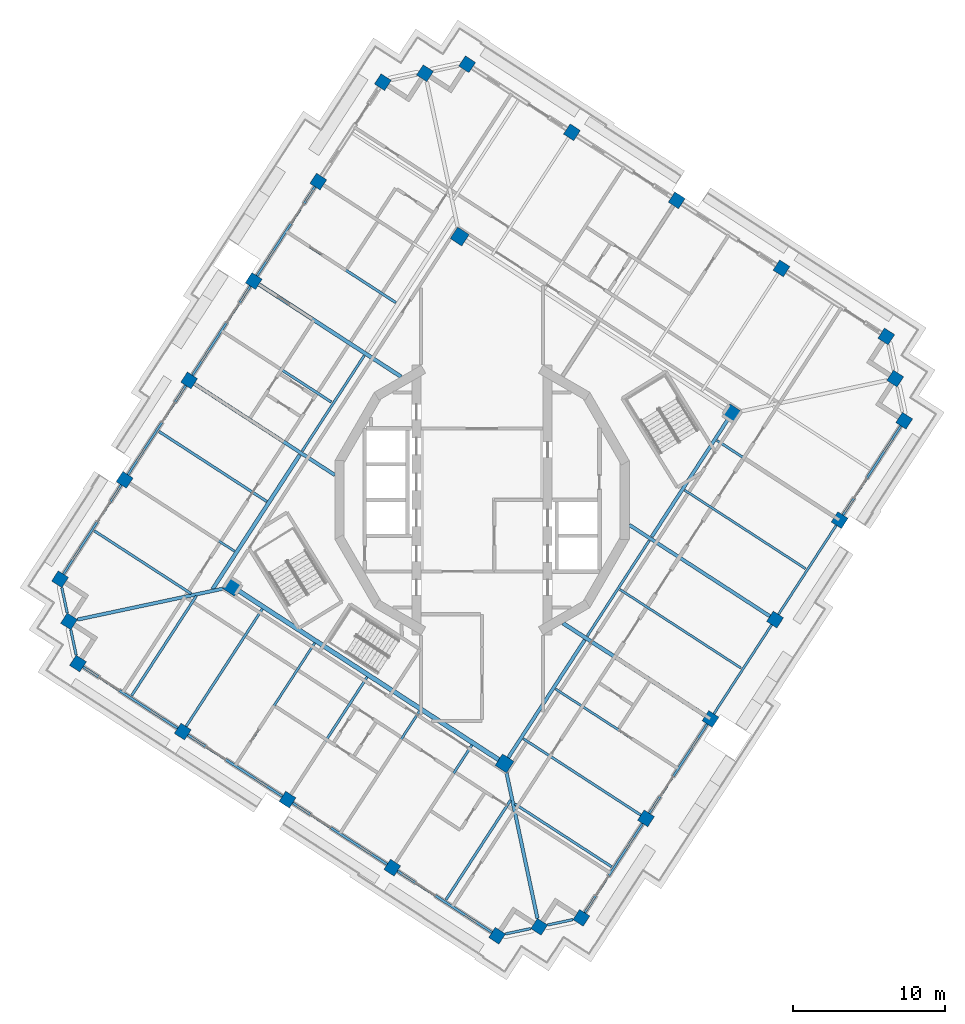
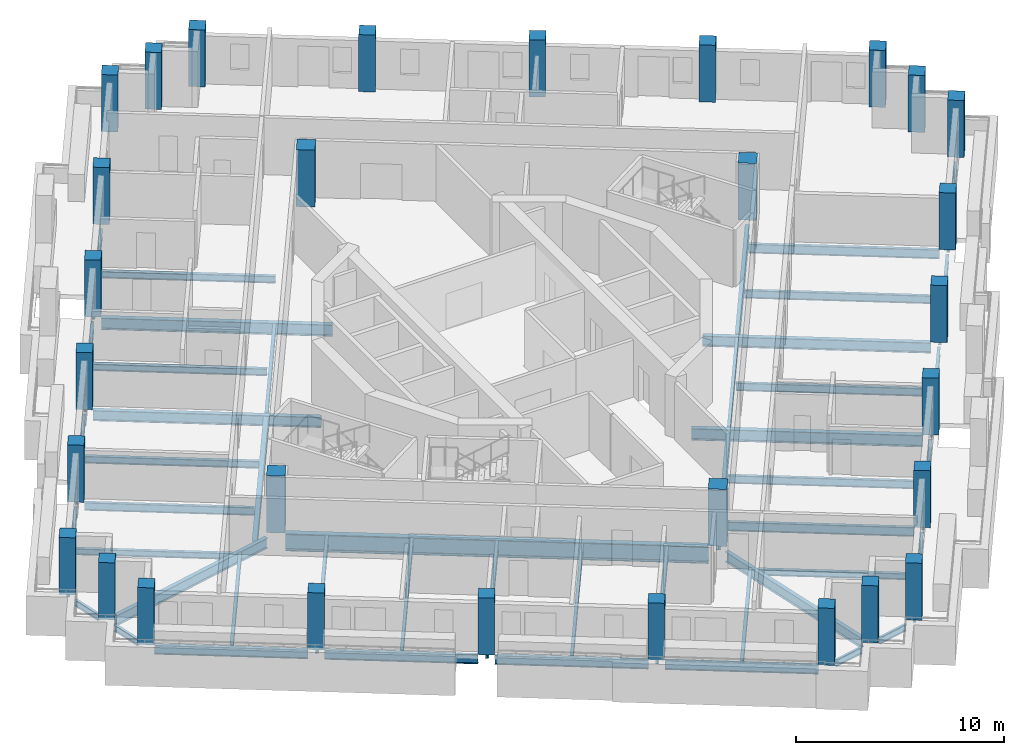
# One storey, part 1 of 15: 47 beams, 30 columns.
"""IFC4 building model written with IfcOpenShell, lengths in metres."""

from ifc_helpers import new_model, si_unit, direction, frame, origin, origin_2d, place, context, subcontext, project, spatial, rectangle, i_section, extrude, material, material_profile, profile_set, type_object, element, save


model = new_model("IFC4")

# Units and contexts
model_context = context("Model", 3, precision=1e-05, world=origin(), true_north=direction((0.0, 1.0)))
body_context = subcontext(model_context, "Body", "Model", "MODEL_VIEW")
ifc_project = project(units=[si_unit("LENGTHUNIT", "METRE"), si_unit("AREAUNIT", "SQUARE_METRE"), si_unit("VOLUMEUNIT", "CUBIC_METRE"), si_unit("PLANEANGLEUNIT", "RADIAN"), si_unit("MASSUNIT", "GRAM", prefix="KILO")], contexts=[model_context])

# Site, building, storey
site_placement = place(None, origin())
site = spatial("IfcSite", under=ifc_project, at=site_placement, CompositionType="ELEMENT")
building_placement = place(site_placement, origin())
building = spatial("IfcBuilding", under=site, at=building_placement, Name="Cantera Rosa Tower", CompositionType="ELEMENT")
storey_placement = place(building_placement, frame((0.0, 0.0, 261.300048828125)))
storey = spatial("IfcBuildingStorey", under=building, at=storey_placement, Name="L58", CompositionType="ELEMENT", Elevation=261.300048828125)

# Columns
ifc_material_1 = material(Name="Concrete C50/60", Category="concrete")
ifc_material_profile_1 = material_profile(ifc_material_1, rectangle(XDim=0.800048828125, YDim=0.800048828125, at=origin_2d()), Name="RC COLUMN RC800X800 C50/60")
ifc_profile_set_1 = profile_set([ifc_material_profile_1], Name="Concrete C50/60")
column_type_1 = type_object("IfcColumnType", Name="RC COLUMN RC800X800 C50/60", PredefinedType="COLUMN", material=ifc_profile_set_1)
for number, where, z_axis, x_axis, name in (
    (1, (26.52587890625, 10.73486328125, 0.0), (0.0, 0.0, 1.0), (0.544639035015, 0.838670567945, 0.0), "C-Z5-01 L58"),
    (2, (19.64892578125, 15.20068359375, 0.0), (0.0, 0.0, 1.0), (0.544639035015, 0.838670567945, 0.0), "C-Z5-02 L58"),
    (3, (12.771728515625, 19.666748046875, 0.0), (0.0, 0.0, 1.0), (0.544639035015, 0.838670567945, 0.0), "C-Z5-03 L58"),
    (4, (5.894775390625, 24.1328125, 0.0), (0.0, 0.0, 1.0), (0.544639035015, 0.838670567945, 0.0), "C-Z5-04 L58"),
    (5, (-0.982421875, 28.598876953125, 0.0), (0.0, 0.0, 1.0), (0.544639035015, 0.838670567945, 0.0), "C-Z5-05 L58"),
    (6, (-3.7490234375, 28.0107421875, 0.0), (0.0, 0.0, 1.0), (0.544639035015, 0.838670567945, 0.0), "C-Z5-06 L58"),
    (7, (-6.515625, 27.4228515625, 0.0), (0.0, 0.0, 1.0), (0.544639035015, 0.838670567945, 0.0), "C-Z5-07 L58"),
    (8, (-10.7529296875, 20.89794921875, 0.0), (0.0, 0.0, 1.0), (0.544639035015, 0.838670567945, 0.0), "C-Z5-08 L58"),
    (9, (-14.990234375, 14.373046875, 0.0), (0.0, 0.0, 1.0), (0.544639035015, 0.838670567945, 0.0), "C-Z5-09 L58"),
    (10, (-19.2275390625, 7.84814453125, 0.0), (0.0, 0.0, 1.0), (0.544639035015, 0.838670567945, 0.0), "C-Z5-10 L58"),
    (11, (-23.46484375, 1.3232421875, 0.0), (0.0, 0.0, 1.0), (0.544639035015, 0.838670567945, 0.0), "C-Z5-11 L58"),
    (12, (-27.7021484375, -5.201416015625, 0.0), (0.0, 0.0, 1.0), (0.544639035015, 0.838670567945, 0.0), "C-Z5-12 L58"),
    (13, (-27.114013671875, -7.968017578125, 0.0), (0.0, 0.0, 1.0), (0.544639035015, 0.838670567945, 0.0), "C-Z5-13 L58"),
    (14, (-26.52587890625, -10.73486328125, 0.0), (0.0, 0.0, 1.0), (0.544639035015, 0.838670567945, 0.0), "C-Z5-14 L58"),
    (15, (-19.64892578125, -15.20068359375, 0.0), (0.0, 0.0, 1.0), (0.544639035015, 0.838670567945, 0.0), "C-Z5-15 L58"),
    (16, (-12.771728515625, -19.666748046875, 0.0), (0.0, 0.0, 1.0), (0.544639035015, 0.838670567945, 0.0), "C-Z5-16 L58"),
    (17, (-5.894775390625, -24.1328125, 0.0), (0.0, 0.0, 1.0), (0.544639035015, 0.838670567945, 0.0), "C-Z5-17 L58"),
    (18, (0.982421875, -28.598876953125, 0.0), (0.0, 0.0, 1.0), (0.544639035015, 0.838670567945, 0.0), "C-Z5-18 L58"),
    (19, (3.7490234375, -28.0107421875, 0.0), (0.0, 0.0, 1.0), (0.544639035015, 0.838670567945, 0.0), "C-Z5-19 L58"),
    (20, (6.515625, -27.4228515625, 0.0), (0.0, 0.0, 1.0), (0.544639035015, 0.838670567945, 0.0), "C-Z5-20 L58"),
    (21, (10.7529296875, -20.89794921875, 0.0), (0.0, 0.0, 1.0), (0.544639035015, 0.838670567945, 0.0), "C-Z5-21 L58"),
    (22, (14.990234375, -14.373046875, 0.0), (0.0, 0.0, 1.0), (0.544639035015, 0.838670567945, 0.0), "C-Z5-22 L58"),
    (23, (19.2275390625, -7.84814453125, 0.0), (0.0, 0.0, 1.0), (0.544639035015, 0.838670567945, 0.0), "C-Z5-23 L58"),
    (24, (23.46484375, -1.3232421875, 0.0), (0.0, 0.0, 1.0), (0.544639035015, 0.838670567945, 0.0), "C-Z5-24 L58"),
    (25, (27.7021484375, 5.201416015625, 0.0), (0.0, 0.0, 1.0), (0.544639035015, 0.838670567945, 0.0), "C-Z5-25 L58"),
    (26, (27.114013671875, 7.968017578125, 0.0), (0.0, 0.0, 1.0), (0.544639035015, 0.838670567945, 0.0), "C-Z5-26 L58"),
):
    element("IfcColumn", number, at=place(storey_placement, frame(where, z_axis=z_axis, x_axis=x_axis)), inside=storey, type_object=column_type_1, Name=name, PredefinedType="COLUMN", context=body_context, shape_type="SweptSolid", body=[
        extrude(rectangle(XDim=0.800048828125, YDim=0.800048828125, at=origin_2d()), origin(), (0.0, 0.0, 1.0), 3.349853515625),
    ])
ifc_material_2 = material(Name="Concrete C50/60", Category="concrete")
ifc_material_profile_2 = material_profile(ifc_material_2, rectangle(XDim=0.89990234375, YDim=0.89990234375, at=origin_2d()), Name="RC RING COLUMN RC900X900 C50/60")
ifc_profile_set_2 = profile_set([ifc_material_profile_2], Name="Concrete C50/60")
column_type_2 = type_object("IfcColumnType", Name="RC RING COLUMN RC900X900 C50/60", PredefinedType="COLUMN", material=ifc_profile_set_2)
for number, where, z_axis, x_axis, name in (
    (27, (-1.47021484375, 17.290283203125, 0.0), (0.0, 0.0, 1.0), (0.544639035015, 0.838670567945, 0.0), "CI-Z5-1 L58"),
    (28, (-16.393310546875, -5.689453125, 0.0), (0.0, 0.0, 1.0), (0.544639035015, 0.838670567945, 0.0), "CI-Z5-2 L58"),
    (29, (1.47021484375, -17.290283203125, 0.0), (0.0, 0.0, 1.0), (0.544639035015, 0.838670567945, 0.0), "CI-Z5-3 L58"),
    (30, (16.393310546875, 5.689453125, 0.0), (0.0, 0.0, 1.0), (0.544639035015, 0.838670567945, 0.0), "CI-Z5-4 L58"),
):
    element("IfcColumn", number, at=place(storey_placement, frame(where, z_axis=z_axis, x_axis=x_axis)), inside=storey, type_object=column_type_2, Name=name, PredefinedType="COLUMN", context=body_context, shape_type="SweptSolid", body=[
        extrude(rectangle(XDim=0.89990234375, YDim=0.89990234375, at=origin_2d()), origin(), (0.0, 0.0, 1.0), 3.349853515625),
    ])

# Beams
ifc_material_3 = material(Name="Steel ASTM A992 (Fy 345 MPa)", Category="steel")
ifc_material_profile_3 = material_profile(ifc_material_3, i_section(OverallWidth=0.302001953125, OverallDepth=1.010009765625, WebThickness=0.02099609375, FlangeThickness=0.0400390625, FilletRadius=0.030029296875, at=origin_2d()), Name="W1000X350")
ifc_profile_set_3 = profile_set([ifc_material_profile_3], Name="Steel ASTM A992 (Fy 345 MPa)")
beam_type_1 = type_object("IfcBeamType", Name="STEEL BEAM W1000X350", PredefinedType="BEAM", material=ifc_profile_set_3)
beam_1_placement = place(storey_placement, frame((1.0927734375, -17.045166015625, -0.755126953125), z_axis=(-0.838671580977, 0.54463747508, 0.0), x_axis=(-0.54463747508, -0.838671580977, 0.0)))
element("IfcBeam", 31, at=beam_1_placement, inside=storey, type_object=beam_type_1, Name="RB-Z5-09 L58", PredefinedType="BEAM", context=body_context, shape_type="SweptSolid", body=[
    extrude(i_section(OverallWidth=0.302001953125, OverallDepth=1.010009765625, WebThickness=0.02099609375, FlangeThickness=0.0400390625, FilletRadius=0.030029296875, at=origin_2d()), origin(), (0.0, 0.0, 1.0), 20.39990234375),
])
ifc_material_4 = material(Name="Steel ASTM A992 (Fy 345 MPa)", Category="steel")
ifc_material_profile_4 = material_profile(ifc_material_4, i_section(OverallWidth=0.154052734375, OverallDepth=0.4599609375, WebThickness=0.009033203125, FlangeThickness=0.015380859375, FilletRadius=0.01025390625, at=origin_2d()), Name="W460X68")
ifc_profile_set_4 = profile_set([ifc_material_profile_4], Name="Steel ASTM A992 (Fy 345 MPa)")
beam_type_2 = type_object("IfcBeamType", Name="STEEL BEAM W460X68", PredefinedType="BEAM", material=ifc_profile_set_4)
beam_2_placement = place(storey_placement, frame((-23.12939453125, 1.10546875, -0.47998046875), z_axis=(0.838672777751, -0.544635632198, 0.0), x_axis=(0.544635632198, 0.838672777751, 0.0)))
element("IfcBeam", 32, at=beam_2_placement, inside=storey, type_object=beam_type_2, Name="G-Z5-07 L58", PredefinedType="BEAM", context=body_context, shape_type="SweptSolid", body=[
    extrude(i_section(OverallWidth=0.154052734375, OverallDepth=0.4599609375, WebThickness=0.009033203125, FlangeThickness=0.015380859375, FilletRadius=0.01025390625, at=origin_2d()), origin(), (0.0, 0.0, 1.0), 8.2001953125),
])
ifc_material_5 = material(Name="Steel ASTM A992 (Fy 345 MPa)", Category="steel")
ifc_material_profile_5 = material_profile(ifc_material_5, i_section(OverallWidth=0.166015625, OverallDepth=0.528076171875, WebThickness=0.009765625, FlangeThickness=0.013671875, FilletRadius=0.0126953125, at=origin_2d()), Name="W530X74")
ifc_profile_set_5 = profile_set([ifc_material_profile_5], Name="Steel ASTM A992 (Fy 345 MPa)")
beam_type_3 = type_object("IfcBeamType", Name="STEEL BEAM W530X74", PredefinedType="BEAM", material=ifc_profile_set_5)
for number, where, z_axis, x_axis, name in (
    (33, (10.41748046875, -20.68017578125, -0.51416015625), (-0.838669083999, 0.544641320086, 0.0), (-0.544641320086, -0.838669083999, 0.0), "G-Z5-08 L58"),
    (34, (23.12939453125, -1.10546875, -0.51416015625), (-0.838669083999, 0.544641320086, 0.0), (-0.544641320086, -0.838669083999, 0.0), "G-Z5-11 L58"),
):
    element("IfcBeam", number, at=place(storey_placement, frame(where, z_axis=z_axis, x_axis=x_axis)), inside=storey, type_object=beam_type_3, Name=name, PredefinedType="BEAM", context=body_context, shape_type="SweptSolid", body=[
        extrude(i_section(OverallWidth=0.166015625, OverallDepth=0.528076171875, WebThickness=0.009765625, FlangeThickness=0.013671875, FilletRadius=0.0126953125, at=origin_2d()), origin(), (0.0, 0.0, 1.0), 9.2001953125),
    ])
beam_3_placement = place(storey_placement, frame((-19.430908203125, -14.865234375, -0.51416015625), z_axis=(0.544634776066, 0.838673333724, 0.0), x_axis=(-0.838673333724, 0.544634776066, 0.0)))
element("IfcBeam", 35, at=beam_3_placement, inside=storey, type_object=beam_type_3, Name="G-Z5-12 L58", PredefinedType="BEAM", context=body_context, shape_type="SweptSolid", body=[
    extrude(i_section(OverallWidth=0.166015625, OverallDepth=0.528076171875, WebThickness=0.009765625, FlangeThickness=0.013671875, FilletRadius=0.0126953125, at=origin_2d()), origin(), (0.0, 0.0, 1.0), 9.19970703125),
])
beam_4_placement = place(storey_placement, frame((-12.553955078125, -19.331298828125, -0.51416015625), z_axis=(0.544641320086, 0.838669083999, 0.0), x_axis=(-0.838669083999, 0.544641320086, 0.0)))
element("IfcBeam", 36, at=beam_4_placement, inside=storey, type_object=beam_type_3, Name="G-Z5-13 L58", PredefinedType="BEAM", context=body_context, shape_type="SweptSolid", body=[
    extrude(i_section(OverallWidth=0.166015625, OverallDepth=0.528076171875, WebThickness=0.009765625, FlangeThickness=0.013671875, FilletRadius=0.0126953125, at=origin_2d()), origin(), (0.0, 0.0, 1.0), 9.2001953125),
])
beam_5_placement = place(storey_placement, frame((-5.6767578125, -23.79736328125, -0.51416015625), z_axis=(0.544622654601, 0.838681205283, 0.0), x_axis=(-0.838681205283, 0.544622654601, 0.0)))
element("IfcBeam", 37, at=beam_5_placement, inside=storey, type_object=beam_type_3, Name="G-Z5-14 L58", PredefinedType="BEAM", context=body_context, shape_type="SweptSolid", body=[
    extrude(i_section(OverallWidth=0.166015625, OverallDepth=0.528076171875, WebThickness=0.009765625, FlangeThickness=0.013671875, FilletRadius=0.0126953125, at=origin_2d()), origin(), (0.0, 0.0, 1.0), 9.199951171875),
])
beam_6_placement = place(storey_placement, frame((-11.807373046875, 3.20849609375, -0.51416015625), z_axis=(0.544626910795, 0.838678441381, 0.0), x_axis=(-0.838678441381, 0.544626910795, 0.0)))
element("IfcBeam", 38, at=beam_6_placement, inside=storey, type_object=beam_type_3, Name="RB-Z5-02 L58", PredefinedType="BEAM", context=body_context, shape_type="SweptSolid", body=[
    extrude(i_section(OverallWidth=0.166015625, OverallDepth=0.528076171875, WebThickness=0.009765625, FlangeThickness=0.013671875, FilletRadius=0.0126953125, at=origin_2d()), origin(), (0.0, 0.0, 1.0), 7.479736328125),
])
beam_7_placement = place(storey_placement, frame((6.894775390625, -8.93701171875, -0.51416015625), z_axis=(0.544649868382, 0.838663532575, 0.0), x_axis=(-0.838663532575, 0.544649868382, 0.0)))
element("IfcBeam", 39, at=beam_7_placement, inside=storey, type_object=beam_type_3, Name="RB-Z5-05 L58", PredefinedType="BEAM", context=body_context, shape_type="SweptSolid", body=[
    extrude(i_section(OverallWidth=0.166015625, OverallDepth=0.528076171875, WebThickness=0.009765625, FlangeThickness=0.013671875, FilletRadius=0.0126953125, at=origin_2d()), origin(), (0.0, 0.0, 1.0), 7.47998046875),
])
ifc_material_6 = material(Name="Steel ASTM A992 (Fy 345 MPa)", Category="steel")
ifc_material_profile_6 = material_profile(ifc_material_6, i_section(OverallWidth=0.22802734375, OverallDepth=0.60205078125, WebThickness=0.010498046875, FlangeThickness=0.014892578125, FilletRadius=0.0126953125, at=origin_2d()), Name="W610X101")
ifc_profile_set_6 = profile_set([ifc_material_profile_6], Name="Steel ASTM A992 (Fy 345 MPa)")
beam_type_4 = type_object("IfcBeamType", Name="STEEL BEAM W610X101", PredefinedType="BEAM", material=ifc_profile_set_6)
for number, where, z_axis, x_axis, name in (
    (40, (-26.560791015625, -7.8505859375, -0.551025390625), (0.978148167214, 0.20790902572, 0.0), (-0.20790902572, 0.978148167214, 0.0), "CB-Z5-02 L58"),
    (41, (3.63134765625, -27.45751953125, -0.551025390625), (-0.20790902572, 0.978148167214, 0.0), (-0.978148167214, -0.20790902572, 0.0), "CB-Z5-03 L58"),
):
    element("IfcBeam", number, at=place(storey_placement, frame(where, z_axis=z_axis, x_axis=x_axis)), inside=storey, type_object=beam_type_4, Name=name, PredefinedType="BEAM", context=body_context, shape_type="SweptSolid", body=[
        extrude(i_section(OverallWidth=0.22802734375, OverallDepth=0.60205078125, WebThickness=0.010498046875, FlangeThickness=0.014892578125, FilletRadius=0.0126953125, at=origin_2d()), origin(), (0.0, 0.0, 1.0), 9.758056640625),
    ])
for number, where, z_axis, x_axis, name in (
    (42, (1.71533203125, -16.912841796875, -0.551025390625), (0.54463982867, 0.838670052539, 0.0), (-0.838670052539, 0.54463982867, 0.0), "RB-Z5-04 L58"),
    (43, (11.132080078125, -2.412109375, -0.551025390625), (0.54463982867, 0.838670052539, 0.0), (-0.838670052539, 0.54463982867, 0.0), "RB-Z5-06 L58"),
):
    element("IfcBeam", number, at=place(storey_placement, frame(where, z_axis=z_axis, x_axis=x_axis)), inside=storey, type_object=beam_type_4, Name=name, PredefinedType="BEAM", context=body_context, shape_type="SweptSolid", body=[
        extrude(i_section(OverallWidth=0.22802734375, OverallDepth=0.60205078125, WebThickness=0.010498046875, FlangeThickness=0.014892578125, FilletRadius=0.0126953125, at=origin_2d()), origin(), (0.0, 0.0, 1.0), 9.2099609375),
    ])
ifc_material_7 = material(Name="Steel ASTM A992 (Fy 345 MPa)", Category="steel")
ifc_material_profile_7 = material_profile(ifc_material_7, i_section(OverallWidth=0.22900390625, OverallDepth=0.612060546875, WebThickness=0.011962890625, FlangeThickness=0.01953125, FilletRadius=0.0126953125, at=origin_2d()), Name="W610X125")
ifc_profile_set_7 = profile_set([ifc_material_profile_7], Name="Steel ASTM A992 (Fy 345 MPa)")
beam_type_5 = type_object("IfcBeamType", Name="STEEL BEAM W610X125", PredefinedType="BEAM", material=ifc_profile_set_7)
for number, where, z_axis, x_axis, name in (
    (44, (-18.89208984375, 7.63037109375, -0.55615234375), (0.838673569952, -0.544634412302, 0.0), (0.544634412302, 0.838673569952, 0.0), "G-Z5-06 L58"),
    (45, (18.89208984375, -7.63037109375, -0.55615234375), (-0.838673569952, 0.544634412302, 0.0), (-0.544634412302, -0.838673569952, 0.0), "G-Z5-10 L58"),
):
    element("IfcBeam", number, at=place(storey_placement, frame(where, z_axis=z_axis, x_axis=x_axis)), inside=storey, type_object=beam_type_5, Name=name, PredefinedType="BEAM", context=body_context, shape_type="SweptSolid", body=[
        extrude(i_section(OverallWidth=0.22900390625, OverallDepth=0.612060546875, WebThickness=0.011962890625, FlangeThickness=0.01953125, FilletRadius=0.0126953125, at=origin_2d()), origin(), (0.0, 0.0, 1.0), 11.009033203125),
    ])
ifc_material_8 = material(Name="Steel ASTM A992 (Fy 345 MPa)", Category="steel")
ifc_material_profile_8 = material_profile(ifc_material_8, i_section(OverallWidth=0.25390625, OverallDepth=0.677978515625, WebThickness=0.01171875, FlangeThickness=0.016357421875, FilletRadius=0.01513671875, at=origin_2d()), Name="W690X125")
ifc_profile_set_8 = profile_set([ifc_material_profile_8], Name="Steel ASTM A992 (Fy 345 MPa)")
beam_type_6 = type_object("IfcBeamType", Name="STEEL BEAM W690X125", PredefinedType="BEAM", material=ifc_profile_set_8)
for number, where, z_axis, x_axis, name in (
    (46, (-14.65478515625, 14.1552734375, -0.589111328125), (0.838661833747, -0.544652484265, 0.0), (0.544652484265, 0.838661833747, 0.0), "G-Z5-05 L58"),
    (47, (14.65478515625, -14.1552734375, -0.589111328125), (-0.838661833747, 0.544652484265, 0.0), (-0.544652484265, -0.838661833747, 0.0), "G-Z5-09 L58"),
):
    element("IfcBeam", number, at=place(storey_placement, frame(where, z_axis=z_axis, x_axis=x_axis)), inside=storey, type_object=beam_type_6, Name=name, PredefinedType="BEAM", context=body_context, shape_type="SweptSolid", body=[
        extrude(i_section(OverallWidth=0.25390625, OverallDepth=0.677978515625, WebThickness=0.01171875, FlangeThickness=0.016357421875, FilletRadius=0.01513671875, at=origin_2d()), origin(), (0.0, 0.0, 1.0), 11.141357421875),
    ])
beam_8_placement = place(storey_placement, frame((-17.695068359375, -5.857666015625, -0.589111328125), z_axis=(0.544635575355, 0.838672814665, 0.0), x_axis=(-0.838672814665, 0.544635575355, 0.0)))
element("IfcBeam", 48, at=beam_8_placement, inside=storey, type_object=beam_type_6, Name="RB-Z5-01 L58", PredefinedType="BEAM", context=body_context, shape_type="SweptSolid", body=[
    extrude(i_section(OverallWidth=0.25390625, OverallDepth=0.677978515625, WebThickness=0.01171875, FlangeThickness=0.016357421875, FilletRadius=0.01513671875, at=origin_2d()), origin(), (0.0, 0.0, 1.0), 10.510009765625),
])
ifc_material_9 = material(Name="Steel ASTM A992 (Fy 345 MPa)", Category="steel")
ifc_material_profile_9 = material_profile(ifc_material_9, i_section(OverallWidth=0.1708984375, OverallDepth=0.35595703125, WebThickness=0.00732421875, FlangeThickness=0.01171875, FilletRadius=0.010009765625, at=origin_2d()), Name="W360X51")
ifc_profile_set_9 = profile_set([ifc_material_profile_9], Name="Steel ASTM A992 (Fy 345 MPa)")
beam_type_7 = type_object("IfcBeamType", Name="STEEL JOIST W360X51", PredefinedType="JOIST", material=ifc_profile_set_9)
beam_9_placement = place(storey_placement, frame((-25.457763671875, -2.020751953125, -0.427978515625), z_axis=(0.838680170462, -0.54462424815, 0.0), x_axis=(0.54462424815, 0.838680170462, 0.0)))
element("IfcBeam", 49, at=beam_9_placement, inside=storey, type_object=beam_type_7, Name="B-Z5-09 L58", PredefinedType="JOIST", context=body_context, shape_type="SweptSolid", body=[
    extrude(i_section(OverallWidth=0.1708984375, OverallDepth=0.35595703125, WebThickness=0.00732421875, FlangeThickness=0.01171875, FilletRadius=0.010009765625, at=origin_2d()), origin(), (0.0, 0.0, 1.0), 7.590087890625),
])
beam_10_placement = place(storey_placement, frame((8.508544921875, -24.07861328125, -0.427978515625), z_axis=(-0.838670629323, 0.544638940502, 0.0), x_axis=(-0.544638940502, -0.838670629323, 0.0)))
element("IfcBeam", 50, at=beam_10_placement, inside=storey, type_object=beam_type_7, Name="B-Z5-10 L58", PredefinedType="JOIST", context=body_context, shape_type="SweptSolid", body=[
    extrude(i_section(OverallWidth=0.1708984375, OverallDepth=0.35595703125, WebThickness=0.00732421875, FlangeThickness=0.01171875, FilletRadius=0.010009765625, at=origin_2d()), origin(), (0.0, 0.0, 1.0), 7.58984375),
])
for number, where, z_axis, x_axis, name in (
    (51, (-23.005859375, -12.842041015625, -0.427978515625), (0.544641754757, 0.838668801718, 0.0), (-0.838668801718, 0.544641754757, 0.0), "B-Z5-15 L58"),
    (52, (-2.37451171875, -26.239990234375, -0.427978515625), (0.54465605183, 0.838659516851, 0.0), (-0.838659516851, 0.54465605183, 0.0), "B-Z5-18 L58"),
):
    element("IfcBeam", number, at=place(storey_placement, frame(where, z_axis=z_axis, x_axis=x_axis)), inside=storey, type_object=beam_type_7, Name=name, PredefinedType="JOIST", context=body_context, shape_type="SweptSolid", body=[
        extrude(i_section(OverallWidth=0.1708984375, OverallDepth=0.35595703125, WebThickness=0.00732421875, FlangeThickness=0.01171875, FilletRadius=0.010009765625, at=origin_2d()), origin(), (0.0, 0.0, 1.0), 7.800048828125),
    ])
ifc_material_10 = material(Name="Steel ASTM A992 (Fy 345 MPa)", Category="steel")
ifc_material_profile_10 = material_profile(ifc_material_10, i_section(OverallWidth=0.177978515625, OverallDepth=0.406005859375, WebThickness=0.0078125, FlangeThickness=0.0126953125, FilletRadius=0.01025390625, at=origin_2d()), Name="W410X60")
ifc_profile_set_10 = profile_set([ifc_material_profile_10], Name="Steel ASTM A992 (Fy 345 MPa)")
beam_type_8 = type_object("IfcBeamType", Name="STEEL JOIST W410X60", PredefinedType="JOIST", material=ifc_profile_set_10)
beam_11_placement = place(storey_placement, frame((-12.745849609375, 17.5537109375, -0.453125), z_axis=(0.838683812595, -0.5446186395, 0.0), x_axis=(0.5446186395, 0.838683812595, 0.0)))
element("IfcBeam", 53, at=beam_11_placement, inside=storey, type_object=beam_type_8, Name="B-Z5-06 L58", PredefinedType="JOIST", context=body_context, shape_type="SweptSolid", body=[
    extrude(i_section(OverallWidth=0.177978515625, OverallDepth=0.406005859375, WebThickness=0.0078125, FlangeThickness=0.0126953125, FilletRadius=0.01025390625, at=origin_2d()), origin(), (0.0, 0.0, 1.0), 8.449951171875),
])
for number, where, z_axis, x_axis, name in (
    (54, (-16.983154296875, 11.029052734375, -0.453125), (0.838670615657, -0.544638961546, 0.0), (0.544638961546, 0.838670615657, 0.0), "B-Z5-07 L58"),
    (55, (-21.220458984375, 4.504150390625, -0.453125), (0.838670615657, -0.544638961546, 0.0), (0.544638961546, 0.838670615657, 0.0), "B-Z5-08 L58"),
):
    element("IfcBeam", number, at=place(storey_placement, frame(where, z_axis=z_axis, x_axis=x_axis)), inside=storey, type_object=beam_type_8, Name=name, PredefinedType="JOIST", context=body_context, shape_type="SweptSolid", body=[
        extrude(i_section(OverallWidth=0.177978515625, OverallDepth=0.406005859375, WebThickness=0.0078125, FlangeThickness=0.0126953125, FilletRadius=0.01025390625, at=origin_2d()), origin(), (0.0, 0.0, 1.0), 8.4501953125),
    ])
ifc_material_11 = material(Name="Steel ASTM A992 (Fy 345 MPa)", Category="steel")
ifc_material_profile_11 = material_profile(ifc_material_11, i_section(OverallWidth=0.154052734375, OverallDepth=0.4599609375, WebThickness=0.009033203125, FlangeThickness=0.015380859375, FilletRadius=0.01025390625, at=origin_2d()), Name="W460X68")
ifc_profile_set_11 = profile_set([ifc_material_profile_11], Name="Steel ASTM A992 (Fy 345 MPa)")
beam_type_9 = type_object("IfcBeamType", Name="STEEL JOIST W460X68", PredefinedType="JOIST", material=ifc_profile_set_11)
beam_12_placement = place(storey_placement, frame((12.745849609375, -17.5537109375, -0.47998046875), z_axis=(-0.838679048974, 0.544625975154, 0.0), x_axis=(-0.544625975154, -0.838679048974, 0.0)))
element("IfcBeam", 56, at=beam_12_placement, inside=storey, type_object=beam_type_9, Name="B-Z5-11 L58", PredefinedType="JOIST", context=body_context, shape_type="SweptSolid", body=[
    extrude(i_section(OverallWidth=0.154052734375, OverallDepth=0.4599609375, WebThickness=0.009033203125, FlangeThickness=0.015380859375, FilletRadius=0.01025390625, at=origin_2d()), origin(), (0.0, 0.0, 1.0), 9.449951171875),
])
for number, where, z_axis, x_axis, name in (
    (57, (16.983154296875, -11.029052734375, -0.47998046875), (-0.838667248419, 0.544644146603, 0.0), (-0.544644146603, -0.838667248419, 0.0), "B-Z5-12 L58"),
    (58, (21.220458984375, -4.504150390625, -0.47998046875), (-0.838667248419, 0.544644146603, 0.0), (-0.544644146603, -0.838667248419, 0.0), "B-Z5-13 L58"),
    (59, (-16.128662109375, -17.30810546875, -0.47998046875), (0.544644146603, 0.838667248419, 0.0), (-0.838667248419, 0.544644146603, 0.0), "B-Z5-16 L58"),
):
    element("IfcBeam", number, at=place(storey_placement, frame(where, z_axis=z_axis, x_axis=x_axis)), inside=storey, type_object=beam_type_9, Name=name, PredefinedType="JOIST", context=body_context, shape_type="SweptSolid", body=[
        extrude(i_section(OverallWidth=0.154052734375, OverallDepth=0.4599609375, WebThickness=0.009033203125, FlangeThickness=0.015380859375, FilletRadius=0.01025390625, at=origin_2d()), origin(), (0.0, 0.0, 1.0), 9.4501953125),
    ])
beam_13_placement = place(storey_placement, frame((-9.25146484375, -21.77392578125, -0.47998046875), z_axis=(0.544637775879, 0.838671385636, 0.0), x_axis=(-0.838671385636, 0.544637775879, 0.0)))
element("IfcBeam", 60, at=beam_13_placement, inside=storey, type_object=beam_type_9, Name="B-Z5-17 L58", PredefinedType="JOIST", context=body_context, shape_type="SweptSolid", body=[
    extrude(i_section(OverallWidth=0.154052734375, OverallDepth=0.4599609375, WebThickness=0.009033203125, FlangeThickness=0.015380859375, FilletRadius=0.01025390625, at=origin_2d()), origin(), (0.0, 0.0, 1.0), 9.44970703125),
])
ifc_material_12 = material(Name="Steel ASTM A992 (Fy 345 MPa)", Category="steel")
ifc_material_profile_12 = material_profile(ifc_material_12, i_section(OverallWidth=0.1708984375, OverallDepth=0.35595703125, WebThickness=0.00732421875, FlangeThickness=0.01171875, FilletRadius=0.010009765625, at=origin_2d()), Name="W360X51")
ifc_profile_set_12 = profile_set([ifc_material_profile_12], Name="Steel ASTM A992 (Fy 345 MPa)")
beam_type_10 = type_object("IfcBeamType", Name="STEEL SPANDREL BEAM W360X51", PredefinedType="SPANDREL", material=ifc_profile_set_12)
for number, where, z_axis, x_axis, name in (
    (61, (-27.58447265625, -5.7548828125, -0.427978515625), (0.207888006632, -0.978152634663, 0.0), (0.978152634663, 0.207888006632, 0.0), "EB-Z5-12 L58"),
    (62, (-26.996337890625, -8.521484375, -0.427978515625), (0.207888006632, -0.978152634663, 0.0), (0.978152634663, 0.207888006632, 0.0), "EB-Z5-13 L58"),
):
    element("IfcBeam", number, at=place(storey_placement, frame(where, z_axis=z_axis, x_axis=x_axis)), inside=storey, type_object=beam_type_10, Name=name, PredefinedType="SPANDREL", context=body_context, shape_type="SweptSolid", body=[
        extrude(i_section(OverallWidth=0.1708984375, OverallDepth=0.35595703125, WebThickness=0.00732421875, FlangeThickness=0.01171875, FilletRadius=0.010009765625, at=origin_2d()), origin(), (0.0, 0.0, 1.0), 1.697021484375),
    ])
for number, where, z_axis, x_axis, name in (
    (63, (1.53564453125, -28.481201171875, -0.427978515625), (0.978158850918, 0.20785875582, 0.0), (-0.20785875582, 0.978158850918, 0.0), "EB-Z5-18 L58"),
    (64, (4.30224609375, -27.893310546875, -0.427978515625), (0.978129595322, 0.207996381593, 0.0), (-0.207996381593, 0.978129595322, 0.0), "EB-Z5-19 L58"),
):
    element("IfcBeam", number, at=place(storey_placement, frame(where, z_axis=z_axis, x_axis=x_axis)), inside=storey, type_object=beam_type_10, Name=name, PredefinedType="SPANDREL", context=body_context, shape_type="SweptSolid", body=[
        extrude(i_section(OverallWidth=0.1708984375, OverallDepth=0.35595703125, WebThickness=0.00732421875, FlangeThickness=0.01171875, FilletRadius=0.010009765625, at=origin_2d()), origin(), (0.0, 0.0, 1.0), 1.697265625),
    ])
ifc_material_13 = material(Name="Steel ASTM A992 (Fy 345 MPa)", Category="steel")
ifc_material_profile_13 = material_profile(ifc_material_13, i_section(OverallWidth=0.154052734375, OverallDepth=0.4599609375, WebThickness=0.009033203125, FlangeThickness=0.015380859375, FilletRadius=0.01025390625, at=origin_2d()), Name="W460X68")
ifc_profile_set_13 = profile_set([ifc_material_profile_13], Name="Steel ASTM A992 (Fy 345 MPa)")
beam_type_11 = type_object("IfcBeamType", Name="STEEL SPANDREL BEAM W460X68", PredefinedType="SPANDREL", material=ifc_profile_set_13)
for number, where, z_axis, x_axis, name in (
    (65, (-10.970703125, 20.5625, -0.47998046875), (-0.544651451949, -0.838662504164, 0.0), (0.838662504164, -0.544651451949, 0.0), "EB-Z5-08 L58"),
    (66, (-15.2080078125, 14.03759765625, -0.47998046875), (-0.544651451949, -0.838662504164, 0.0), (0.838662504164, -0.544651451949, 0.0), "EB-Z5-09 L58"),
):
    element("IfcBeam", number, at=place(storey_placement, frame(where, z_axis=z_axis, x_axis=x_axis)), inside=storey, type_object=beam_type_11, Name=name, PredefinedType="SPANDREL", context=body_context, shape_type="SweptSolid", body=[
        extrude(i_section(OverallWidth=0.154052734375, OverallDepth=0.4599609375, WebThickness=0.009033203125, FlangeThickness=0.015380859375, FilletRadius=0.01025390625, at=origin_2d()), origin(), (0.0, 0.0, 1.0), 6.980224609375),
    ])
for number, where, z_axis, x_axis, name in (
    (67, (-19.4453125, 7.5126953125, -0.47998046875), (-0.544667428764, -0.838652128146, 0.0), (0.838652128146, -0.544667428764, 0.0), "EB-Z5-10 L58"),
    (68, (-23.6826171875, 0.98779296875, -0.47998046875), (-0.544667428764, -0.838652128146, 0.0), (0.838652128146, -0.544667428764, 0.0), "EB-Z5-11 L58"),
):
    element("IfcBeam", number, at=place(storey_placement, frame(where, z_axis=z_axis, x_axis=x_axis)), inside=storey, type_object=beam_type_11, Name=name, PredefinedType="SPANDREL", context=body_context, shape_type="SweptSolid", body=[
        extrude(i_section(OverallWidth=0.154052734375, OverallDepth=0.4599609375, WebThickness=0.009033203125, FlangeThickness=0.015380859375, FilletRadius=0.01025390625, at=origin_2d()), origin(), (0.0, 0.0, 1.0), 6.97998046875),
    ])
for number, where, z_axis, x_axis, name in (
    (69, (6.7333984375, -27.08740234375, -0.47998046875), (0.544651451949, 0.838662504164, 0.0), (-0.838662504164, 0.544651451949, 0.0), "EB-Z5-20 L58"),
    (70, (10.970703125, -20.5625, -0.47998046875), (0.544651451949, 0.838662504164, 0.0), (-0.838662504164, 0.544651451949, 0.0), "EB-Z5-21 L58"),
    (71, (15.2080078125, -14.03759765625, -0.47998046875), (0.544651451949, 0.838662504164, 0.0), (-0.838662504164, 0.544651451949, 0.0), "EB-Z5-22 L58"),
):
    element("IfcBeam", number, at=place(storey_placement, frame(where, z_axis=z_axis, x_axis=x_axis)), inside=storey, type_object=beam_type_11, Name=name, PredefinedType="SPANDREL", context=body_context, shape_type="SweptSolid", body=[
        extrude(i_section(OverallWidth=0.154052734375, OverallDepth=0.4599609375, WebThickness=0.009033203125, FlangeThickness=0.015380859375, FilletRadius=0.01025390625, at=origin_2d()), origin(), (0.0, 0.0, 1.0), 6.980224609375),
    ])
for number, where, z_axis, x_axis, name in (
    (72, (19.4453125, -7.5126953125, -0.47998046875), (0.544667428764, 0.838652128146, 0.0), (-0.838652128146, 0.544667428764, 0.0), "EB-Z5-23 L58"),
    (73, (23.6826171875, -0.98779296875, -0.47998046875), (0.544667428764, 0.838652128146, 0.0), (-0.838652128146, 0.544667428764, 0.0), "EB-Z5-24 L58"),
):
    element("IfcBeam", number, at=place(storey_placement, frame(where, z_axis=z_axis, x_axis=x_axis)), inside=storey, type_object=beam_type_11, Name=name, PredefinedType="SPANDREL", context=body_context, shape_type="SweptSolid", body=[
        extrude(i_section(OverallWidth=0.154052734375, OverallDepth=0.4599609375, WebThickness=0.009033203125, FlangeThickness=0.015380859375, FilletRadius=0.01025390625, at=origin_2d()), origin(), (0.0, 0.0, 1.0), 6.97998046875),
    ])
ifc_material_14 = material(Name="Steel ASTM A992 (Fy 345 MPa)", Category="steel")
ifc_material_profile_14 = material_profile(ifc_material_14, i_section(OverallWidth=0.166015625, OverallDepth=0.528076171875, WebThickness=0.009765625, FlangeThickness=0.013671875, FilletRadius=0.0126953125, at=origin_2d()), Name="W530X74")
ifc_profile_set_14 = profile_set([ifc_material_profile_14], Name="Steel ASTM A992 (Fy 345 MPa)")
beam_type_12 = type_object("IfcBeamType", Name="STEEL SPANDREL BEAM W530X74", PredefinedType="SPANDREL", material=ifc_profile_set_14)
beam_14_placement = place(storey_placement, frame((-26.1904296875, -10.95263671875, -0.51416015625), z_axis=(0.838669679097, -0.544640403719, 0.0), x_axis=(0.544640403719, 0.838669679097, 0.0)))
element("IfcBeam", 74, at=beam_14_placement, inside=storey, type_object=beam_type_12, Name="EB-Z5-14 L58", PredefinedType="SPANDREL", context=body_context, shape_type="SweptSolid", body=[
    extrude(i_section(OverallWidth=0.166015625, OverallDepth=0.528076171875, WebThickness=0.009765625, FlangeThickness=0.013671875, FilletRadius=0.0126953125, at=origin_2d()), origin(), (0.0, 0.0, 1.0), 7.39990234375),
])
beam_15_placement = place(storey_placement, frame((-19.3134765625, -15.418701171875, -0.51416015625), z_axis=(0.838679465365, -0.544625333946, 0.0), x_axis=(0.544625333946, 0.838679465365, 0.0)))
element("IfcBeam", 75, at=beam_15_placement, inside=storey, type_object=beam_type_12, Name="EB-Z5-15 L58", PredefinedType="SPANDREL", context=body_context, shape_type="SweptSolid", body=[
    extrude(i_section(OverallWidth=0.166015625, OverallDepth=0.528076171875, WebThickness=0.009765625, FlangeThickness=0.013671875, FilletRadius=0.0126953125, at=origin_2d()), origin(), (0.0, 0.0, 1.0), 7.400146484375),
])
beam_16_placement = place(storey_placement, frame((-12.436279296875, -19.884765625, -0.51416015625), z_axis=(0.838669679097, -0.544640403719, 0.0), x_axis=(0.544640403719, 0.838669679097, 0.0)))
element("IfcBeam", 76, at=beam_16_placement, inside=storey, type_object=beam_type_12, Name="EB-Z5-16 L58", PredefinedType="SPANDREL", context=body_context, shape_type="SweptSolid", body=[
    extrude(i_section(OverallWidth=0.166015625, OverallDepth=0.528076171875, WebThickness=0.009765625, FlangeThickness=0.013671875, FilletRadius=0.0126953125, at=origin_2d()), origin(), (0.0, 0.0, 1.0), 7.39990234375),
])
beam_17_placement = place(storey_placement, frame((-5.559326171875, -24.350830078125, -0.51416015625), z_axis=(0.838679465365, -0.544625333946, 0.0), x_axis=(0.544625333946, 0.838679465365, 0.0)))
element("IfcBeam", 77, at=beam_17_placement, inside=storey, type_object=beam_type_12, Name="EB-Z5-17 L58", PredefinedType="SPANDREL", context=body_context, shape_type="SweptSolid", body=[
    extrude(i_section(OverallWidth=0.166015625, OverallDepth=0.528076171875, WebThickness=0.009765625, FlangeThickness=0.013671875, FilletRadius=0.0126953125, at=origin_2d()), origin(), (0.0, 0.0, 1.0), 7.400146484375),
])

save(model, "model.ifc")
